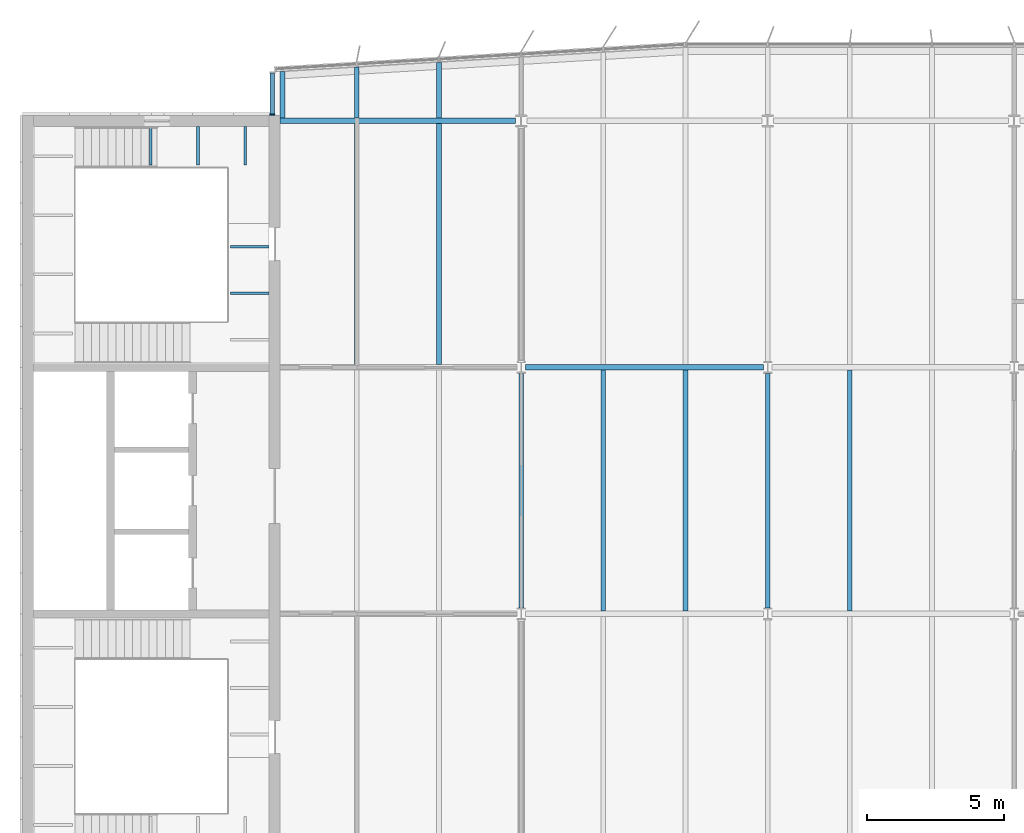
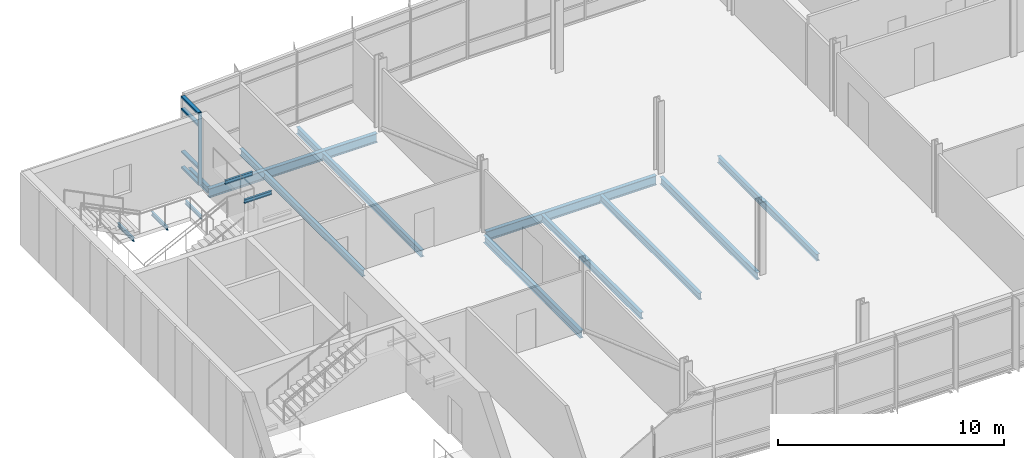
# One storey, part 4 of 18: 17 beams, 5 members, 1 element without a shape of its own.
"""IFC4 building model written with IfcOpenShell, lengths in metres."""

from ifc_helpers import new_model, si_unit, direction, frame, origin, origin_2d, place, context, subcontext, project, spatial, rectangle, i_section, extrude, material, material_profile, profile_set, type_object, element, aggregate, save


model = new_model("IFC4")

# Units and contexts
model_context = context("Model", 3, precision=1e-05, world=origin(), true_north=direction((0.0, 1.0)))
body_context = subcontext(model_context, "Body", "Model", "MODEL_VIEW")
ifc_project = project(units=[si_unit("LENGTHUNIT", "METRE"), si_unit("AREAUNIT", "SQUARE_METRE"), si_unit("VOLUMEUNIT", "CUBIC_METRE"), si_unit("PLANEANGLEUNIT", "RADIAN"), si_unit("MASSUNIT", "GRAM", prefix="KILO")], contexts=[model_context])

# Site, building, storey
site_placement = place(None, origin())
site = spatial("IfcSite", under=ifc_project, at=site_placement, CompositionType="ELEMENT")
building_placement = place(site_placement, origin())
building = spatial("IfcBuilding", under=site, at=building_placement, Name="Azimuth Sports and Learning Centre", CompositionType="ELEMENT")
storey_placement = place(building_placement, frame((0.0, 0.0, 59.699951171875)))
storey = spatial("IfcBuildingStorey", under=building, at=storey_placement, Name="L13", CompositionType="ELEMENT", Elevation=59.699951171875)

# Beams
ifc_material_1 = material(Name="Steel S355", Category="steel")
ifc_material_profile_1 = material_profile(ifc_material_1, i_section(OverallWidth=0.10009765625, OverallDepth=0.199951171875, WebThickness=0.005615234375, FlangeThickness=0.008544921875, FilletRadius=0.011962890625, at=origin_2d()), Name="IPE 200")
ifc_profile_set_1 = profile_set([ifc_material_profile_1], Name="Steel S355")
beam_type_1 = type_object("IfcBeamType", Name="Beam IPE 200", PredefinedType="BEAM", material=ifc_profile_set_1)
for number, where, z_axis, x_axis, name in (
    (1, (58.473388671875, 116.800048828125, -0.300048828125), (0.0, -1.0, 0.0), (1.0, 0.0, 0.0), "Landing bracket W2 L13 307"),
    (2, (60.199951171875, 116.800048828125, -0.300048828125), (0.0, -1.0, 0.0), (1.0, 0.0, 0.0), "Landing bracket W2 L13 308"),
    (3, (61.9267578125, 116.800048828125, -0.300048828125), (0.0, -1.0, 0.0), (1.0, 0.0, 0.0), "Landing bracket W2 L13 309"),
    (4, (62.800048828125, 110.705078125, 3.60009765625), (-1.0, 0.0, 0.0), (0.0, -1.0, 0.0), "Landing bracket W2 L13 315"),
    (5, (62.800048828125, 112.401611328125, 3.60009765625), (-1.0, 0.0, 0.0), (0.0, -1.0, 0.0), "Landing bracket W2 L13 316"),
):
    element("IfcBeam", number, at=place(storey_placement, frame(where, z_axis=z_axis, x_axis=x_axis)), inside=storey, type_object=beam_type_1, Name=name, PredefinedType="BEAM", context=body_context, shape_type="SweptSolid", body=[
        extrude(i_section(OverallWidth=0.10009765625, OverallDepth=0.199951171875, WebThickness=0.005615234375, FlangeThickness=0.008544921875, FilletRadius=0.011962890625, at=origin_2d()), origin(), (0.0, 0.0, 1.0), 1.41015625),
    ])
ifc_material_2 = material(Name="Steel S355", Category="steel")
ifc_material_profile_2 = material_profile(ifc_material_2, i_section(OverallWidth=0.179931640625, OverallDepth=0.39990234375, WebThickness=0.008544921875, FlangeThickness=0.013427734375, FilletRadius=0.02099609375, at=origin_2d()), Name="IPE 400")
ifc_profile_set_2 = profile_set([ifc_material_profile_2], Name="Steel S355")
beam_type_2 = type_object("IfcBeamType", Name="Beam IPE 400", PredefinedType="BEAM", material=ifc_profile_set_2)
for number, where, z_axis, x_axis, name in (
    (6, (72.0, 99.216064453125, -0.329833984375), (0.0, 1.0, 0.0), (-1.0, 0.0, 0.0), "Tower tie"),
    (7, (81.0, 99.216064453125, -0.329833984375), (0.0, 1.0, 0.0), (-1.0, 0.0, 0.0), "Tower tie"),
):
    element("IfcBeam", number, at=place(storey_placement, frame(where, z_axis=z_axis, x_axis=x_axis)), inside=storey, type_object=beam_type_2, Name=name, PredefinedType="BEAM", context=body_context, shape_type="SweptSolid", body=[
        extrude(i_section(OverallWidth=0.179931640625, OverallDepth=0.39990234375, WebThickness=0.008544921875, FlangeThickness=0.013427734375, FilletRadius=0.02099609375, at=origin_2d()), origin(), (0.0, 0.0, 1.0), 8.56787109375),
    ])
ifc_material_3 = material(Name="Steel S355", Category="steel")
ifc_material_profile_3 = material_profile(ifc_material_3, i_section(OverallWidth=0.199951171875, OverallDepth=0.5, WebThickness=0.01025390625, FlangeThickness=0.01611328125, FilletRadius=0.02099609375, at=origin_2d()), Name="IPE 500")
ifc_profile_set_3 = profile_set([ifc_material_profile_3], Name="Steel S355")
beam_type_3 = type_object("IfcBeamType", Name="Beam IPE 500", PredefinedType="BEAM", material=ifc_profile_set_3)
beam_1_placement = place(storey_placement, frame((72.153564453125, 108.0, -0.3798828125), z_axis=(1.0, 0.0, 0.0), x_axis=(0.0, 1.0, 0.0)))
element("IfcBeam", 8, at=beam_1_placement, inside=storey, type_object=beam_type_3, Name="Tower girder L13", PredefinedType="BEAM", context=body_context, shape_type="SweptSolid", body=[
    extrude(i_section(OverallWidth=0.199951171875, OverallDepth=0.5, WebThickness=0.01025390625, FlangeThickness=0.01611328125, FilletRadius=0.02099609375, at=origin_2d()), origin(), (0.0, 0.0, 1.0), 8.69287109375),
])
beam_2_placement = place(storey_placement, frame((63.199951171875, 117.0, -0.3798828125), z_axis=(1.0, 0.0, 0.0), x_axis=(0.0, 1.0, 0.0)))
element("IfcBeam", 9, at=beam_2_placement, inside=storey, type_object=beam_type_3, Name="Tower girder L13", PredefinedType="BEAM", context=body_context, shape_type="SweptSolid", body=[
    extrude(i_section(OverallWidth=0.199951171875, OverallDepth=0.5, WebThickness=0.01025390625, FlangeThickness=0.01611328125, FilletRadius=0.02099609375, at=origin_2d()), origin(), (0.0, 0.0, 1.0), 8.591064453125),
])
ifc_material_4 = material(Name="Steel S355", Category="steel")
ifc_material_profile_4 = material_profile(ifc_material_4, i_section(OverallWidth=0.169921875, OverallDepth=0.360107421875, WebThickness=0.008056640625, FlangeThickness=0.0126953125, FilletRadius=0.01806640625, at=origin_2d()), Name="IPE 360")
ifc_profile_set_4 = profile_set([ifc_material_profile_4], Name="Steel S355")
beam_type_4 = type_object("IfcBeamType", Name="Cantilever stub IPE 360", PredefinedType="JOIST", material=ifc_profile_set_4)
beam_3_placement = place(storey_placement, frame((63.284912109375, 117.10009765625, -0.31005859375), z_axis=(0.0, 1.0, 0.0), x_axis=(-1.0, 0.0, 0.0)))
element("IfcBeam", 10, at=beam_3_placement, inside=storey, type_object=beam_type_4, Name="Tower cantilever stub", PredefinedType="JOIST", context=body_context, shape_type="SweptSolid", body=[
    extrude(i_section(OverallWidth=0.169921875, OverallDepth=0.360107421875, WebThickness=0.008056640625, FlangeThickness=0.0126953125, FilletRadius=0.01806640625, at=origin_2d()), origin(), (0.0, 0.0, 1.0), 1.697021484375),
])
beam_4_placement = place(storey_placement, frame((66.0, 117.10009765625, -0.31005859375), z_axis=(0.0, 1.0, 0.0), x_axis=(-1.0, 0.0, 0.0)))
element("IfcBeam", 11, at=beam_4_placement, inside=storey, type_object=beam_type_4, Name="Tower cantilever stub", PredefinedType="JOIST", context=body_context, shape_type="SweptSolid", body=[
    extrude(i_section(OverallWidth=0.169921875, OverallDepth=0.360107421875, WebThickness=0.008056640625, FlangeThickness=0.0126953125, FilletRadius=0.01806640625, at=origin_2d()), origin(), (0.0, 0.0, 1.0), 1.85986328125),
])
beam_5_placement = place(storey_placement, frame((69.0, 117.10009765625, -0.31005859375), z_axis=(0.0, 1.0, 0.0), x_axis=(-1.0, 0.0, 0.0)))
element("IfcBeam", 12, at=beam_5_placement, inside=storey, type_object=beam_type_4, Name="Tower cantilever stub", PredefinedType="JOIST", context=body_context, shape_type="SweptSolid", body=[
    extrude(i_section(OverallWidth=0.169921875, OverallDepth=0.360107421875, WebThickness=0.008056640625, FlangeThickness=0.0126953125, FilletRadius=0.01806640625, at=origin_2d()), origin(), (0.0, 0.0, 1.0), 2.039794921875),
])
ifc_material_5 = material(Name="Steel S355", Category="steel")
ifc_material_profile_5 = material_profile(ifc_material_5, i_section(OverallWidth=0.169921875, OverallDepth=0.360107421875, WebThickness=0.008056640625, FlangeThickness=0.0126953125, FilletRadius=0.01806640625, at=origin_2d()), Name="IPE 360")
ifc_profile_set_5 = profile_set([ifc_material_profile_5], Name="Steel S355")
beam_type_5 = type_object("IfcBeamType", Name="Joist IPE 360", PredefinedType="JOIST", material=ifc_profile_set_5)
for number, where, z_axis, x_axis, name in (
    (13, (66.0, 108.10009765625, -0.31005859375), (0.0, 1.0, 0.0), (-1.0, 0.0, 0.0), "Tower joist"),
    (14, (69.0, 108.10009765625, -0.31005859375), (0.0, 1.0, 0.0), (-1.0, 0.0, 0.0), "Tower joist"),
    (15, (75.0, 99.10009765625, -0.31005859375), (0.0, 1.0, 0.0), (-1.0, 0.0, 0.0), "Tower joist"),
    (16, (78.0, 99.10009765625, -0.31005859375), (0.0, 1.0, 0.0), (-1.0, 0.0, 0.0), "Tower joist"),
    (17, (84.0, 99.10009765625, -0.31005859375), (0.0, 1.0, 0.0), (-1.0, 0.0, 0.0), "Tower joist"),
):
    element("IfcBeam", number, at=place(storey_placement, frame(where, z_axis=z_axis, x_axis=x_axis)), inside=storey, type_object=beam_type_5, Name=name, PredefinedType="JOIST", context=body_context, shape_type="SweptSolid", body=[
        extrude(i_section(OverallWidth=0.169921875, OverallDepth=0.360107421875, WebThickness=0.008056640625, FlangeThickness=0.0126953125, FilletRadius=0.01806640625, at=origin_2d()), origin(), (0.0, 0.0, 1.0), 8.7998046875),
    ])

# Curtain wall, members
ifc_material_6 = material(Name="Aluminium and glass", Category="aluminium")
curtain_wall_type = type_object("IfcCurtainWallType", Name="Curtain wall tower return 180", PredefinedType="NOTDEFINED", material=ifc_material_6)
curtain_wall_placement = place(storey_placement, origin())
curtain_wall = element("IfcCurtainWall", 18, at=curtain_wall_placement, inside=storey, type_object=curtain_wall_type, Name="Curtain wall CW13-010", PredefinedType="NOTDEFINED")
ifc_material_7 = material(Name="Aluminium", Category="aluminium")
ifc_material_profile_6 = material_profile(ifc_material_7, rectangle(XDim=0.179931640625, YDim=0.06005859375, at=origin_2d()), Name="Mullion 60x180")
ifc_profile_set_6 = profile_set([ifc_material_profile_6], Name="Aluminium")
member_type_1 = type_object("IfcMemberType", Name="Mullion 60x180", PredefinedType="MULLION", material=ifc_profile_set_6)
member_1_placement = place(storey_placement, frame((62.909912109375, 117.22998046875, 0.0), z_axis=(0.0, 0.0, 1.0), x_axis=(1.0, 0.0, 0.0)))
member_1 = element("IfcMember", 19, at=member_1_placement, type_object=member_type_1, Name="CW13-010 mullion 2", PredefinedType="MULLION", context=body_context, shape_type="SweptSolid", body=[
    extrude(rectangle(XDim=0.179931640625, YDim=0.06005859375, at=origin_2d()), origin(), (0.0, 0.0, 1.0), 3.900146484375),
])
ifc_material_8 = material(Name="Aluminium", Category="aluminium")
ifc_material_profile_7 = material_profile(ifc_material_8, rectangle(XDim=0.179931640625, YDim=0.10009765625, at=origin_2d()), Name="Transom 100x180")
ifc_profile_set_7 = profile_set([ifc_material_profile_7], Name="Aluminium")
member_type_2 = type_object("IfcMemberType", Name="Transom 100x180", PredefinedType="USERDEFINED", material=ifc_profile_set_7)
member_2_placement = place(storey_placement, frame((62.909912109375, 118.739990234375, 0.050048828125), z_axis=(0.0, -1.0, 0.0), x_axis=(1.0, 0.0, 0.0)))
member_2 = element("IfcMember", 20, at=member_2_placement, type_object=member_type_2, Name="CW13-010 transom 1.1", ObjectType="TRANSOM", PredefinedType="USERDEFINED", context=body_context, shape_type="SweptSolid", body=[
    extrude(rectangle(XDim=0.179931640625, YDim=0.10009765625, at=origin_2d()), origin(), (0.0, 0.0, 1.0), 1.47998046875),
])
member_3_placement = place(storey_placement, frame((62.909912109375, 118.739990234375, 0.900146484375), z_axis=(0.0, -1.0, 0.0), x_axis=(1.0, 0.0, 0.0)))
member_3 = element("IfcMember", 21, at=member_3_placement, type_object=member_type_2, Name="CW13-010 transom 1.2", ObjectType="TRANSOM", PredefinedType="USERDEFINED", context=body_context, shape_type="SweptSolid", body=[
    extrude(rectangle(XDim=0.179931640625, YDim=0.10009765625, at=origin_2d()), origin(), (0.0, 0.0, 1.0), 1.47998046875),
])
member_4_placement = place(storey_placement, frame((62.909912109375, 118.739990234375, 3.199951171875), z_axis=(0.0, -1.0, 0.0), x_axis=(1.0, 0.0, 0.0)))
member_4 = element("IfcMember", 22, at=member_4_placement, type_object=member_type_2, Name="CW13-010 transom 1.3", ObjectType="TRANSOM", PredefinedType="USERDEFINED", context=body_context, shape_type="SweptSolid", body=[
    extrude(rectangle(XDim=0.179931640625, YDim=0.10009765625, at=origin_2d()), origin(), (0.0, 0.0, 1.0), 1.47998046875),
])
member_5_placement = place(storey_placement, frame((62.909912109375, 118.739990234375, 3.85009765625), z_axis=(0.0, -1.0, 0.0), x_axis=(1.0, 0.0, 0.0)))
member_5 = element("IfcMember", 23, at=member_5_placement, type_object=member_type_2, Name="CW13-010 transom 1.4", ObjectType="TRANSOM", PredefinedType="USERDEFINED", context=body_context, shape_type="SweptSolid", body=[
    extrude(rectangle(XDim=0.179931640625, YDim=0.10009765625, at=origin_2d()), origin(), (0.0, 0.0, 1.0), 1.47998046875),
])
aggregate(curtain_wall, [member_1, member_2, member_3, member_4, member_5])

save(model, "model.ifc")
